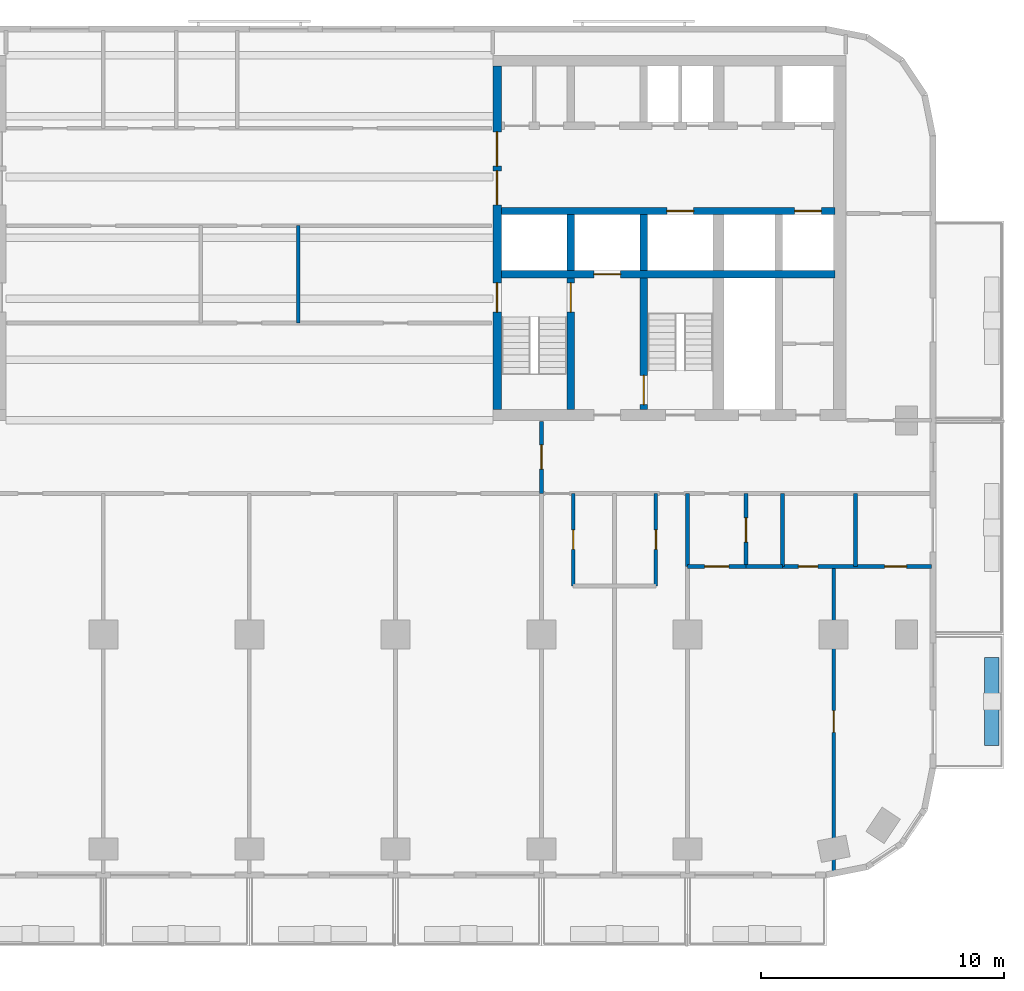
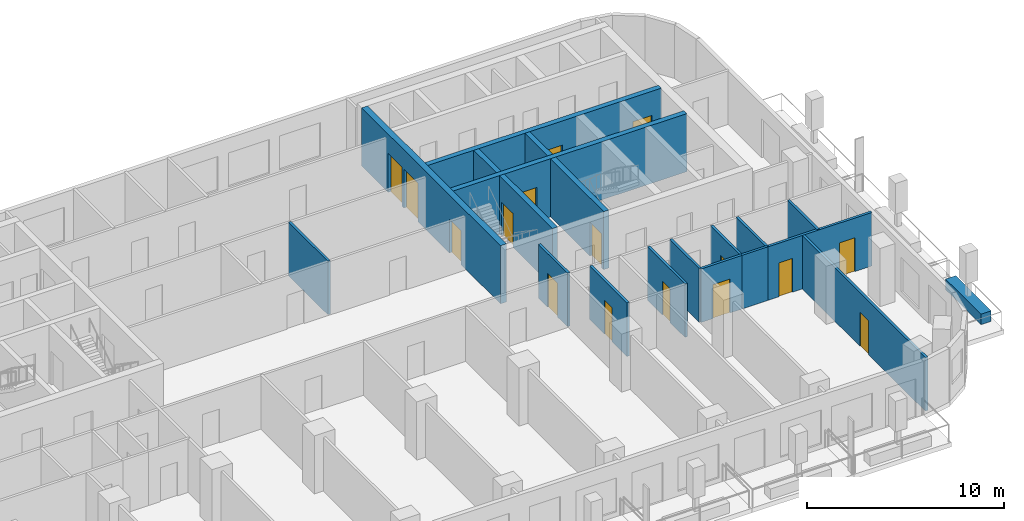
# One storey, part 5 of 12: 20 walls, 16 doors, 16 openings.
"""IFC4 building model written with IfcOpenShell, lengths in metres."""

from ifc_helpers import new_model, si_unit, direction, frame, frame_2d, origin, place, context, subcontext, project, spatial, rectangle, extrude, material, layer, layer_set, type_object, element, fill, save


model = new_model("IFC4")

# Units and contexts
model_context = context("Model", 3, precision=1e-05, world=origin(), true_north=direction((0.0, 1.0)))
body_context = subcontext(model_context, "Body", "Model", "MODEL_VIEW")
ifc_project = project(units=[si_unit("LENGTHUNIT", "METRE"), si_unit("AREAUNIT", "SQUARE_METRE"), si_unit("VOLUMEUNIT", "CUBIC_METRE"), si_unit("PLANEANGLEUNIT", "RADIAN"), si_unit("MASSUNIT", "GRAM", prefix="KILO")], contexts=[model_context])

# Site, building, storey
site_placement = place(None, origin())
site = spatial("IfcSite", under=ifc_project, at=site_placement, CompositionType="ELEMENT")
building_placement = place(site_placement, origin())
building = spatial("IfcBuilding", under=site, at=building_placement, Name="Torana Hotel and Residences", CompositionType="ELEMENT")
storey_placement = place(building_placement, frame((0.0, 0.0, 159.60009765625)))
storey = spatial("IfcBuildingStorey", under=building, at=storey_placement, Name="L41", CompositionType="ELEMENT", Elevation=159.60009765625)

# Wall, openings, doors
ifc_material_1 = material(Name="Concrete C70/85", Category="concrete")
ifc_layer_1 = layer(ifc_material_1, 0.300048828125)
ifc_layer_set_1 = layer_set([ifc_layer_1], Name="CORE WALL 300 C70/85")
wall_type_1 = type_object("IfcWallType", Name="CORE WALL 300 C70/85", PredefinedType="SHEAR", material=ifc_layer_set_1)
wall_1_placement = place(storey_placement, frame((10.35009765625, -6.39990234375, 0.0), z_axis=(0.0, 0.0, 1.0), x_axis=(1.0, 0.0, 0.0)))
wall_1 = element("IfcWall", 1, at=wall_1_placement, inside=storey, type_object=wall_type_1, Name="Core wall E row-S", PredefinedType="SHEAR", context=body_context, shape_type="SweptSolid", body=[
    extrude(rectangle(XDim=13.699951171875, YDim=0.300048828125, at=frame_2d((6.85009765625, 0.0))), origin(), (0.0, 0.0, 1.0), 3.599853515625),
])
opening_1_placement = place(wall_1_placement, frame((12.050048828125, 0.0, 0.0)))
opening_1 = element("IfcOpeningElement", 2, at=opening_1_placement, cuts=wall_1, Name="Opening LD", PredefinedType="OPENING", context=body_context, shape_type="SweptSolid", body=[
    extrude(rectangle(XDim=1.10009765625, YDim=2.10009765625, at=frame_2d((0.550048828125, 1.050048828125))), frame((0.0, 0.159912109375, 0.0), z_axis=(0.0, -1.0, 0.0), x_axis=(1.0, 0.0, 0.0)), (0.0, 0.0, 1.0), 0.320068359375),
])
opening_2_placement = place(wall_1_placement, frame((6.800048828125, 0.0, 0.0)))
opening_2 = element("IfcOpeningElement", 3, at=opening_2_placement, cuts=wall_1, Name="Opening LD", PredefinedType="OPENING", context=body_context, shape_type="SweptSolid", body=[
    extrude(rectangle(XDim=1.10009765625, YDim=2.10009765625, at=frame_2d((0.550048828125, 1.050048828125))), frame((0.0, 0.159912109375, 0.0), z_axis=(0.0, -1.0, 0.0), x_axis=(1.0, 0.0, 0.0)), (0.0, 0.0, 1.0), 0.320068359375),
])
ifc_material_2 = material(Name="Stainless steel 316", Category="steel")
door_type_1 = type_object("IfcDoorType", Name="LIFT LANDING DOOR LD 1100x2100", OperationType="DOUBLE_DOOR_SLIDING", PredefinedType="USERDEFINED", material=ifc_material_2)
door_1_placement = place(opening_1_placement, origin())
door_1 = element("IfcDoor", 4, at=door_1_placement, inside=storey, type_object=door_type_1, Name="Lift landing door M4 L41", ObjectType="LIFT LANDING DOOR", OperationType="DOUBLE_DOOR_SLIDING", OverallHeight=2.10009765625, OverallWidth=1.10009765625, PredefinedType="USERDEFINED", context=body_context, shape_type="SweptSolid", body=[
    extrude(rectangle(XDim=1.10009765625, YDim=2.10009765625, at=frame_2d((0.550048828125, 1.050048828125))), frame((0.0, 0.02490234375, 0.0), z_axis=(0.0, -1.0, 0.0), x_axis=(1.0, 0.0, 0.0)), (0.0, 0.0, 1.0), 0.050048828125),
])
fill(opening_1, door_1)
door_2_placement = place(opening_2_placement, origin())
door_2 = element("IfcDoor", 5, at=door_2_placement, inside=storey, type_object=door_type_1, Name="Lift landing door SV2 L41", ObjectType="LIFT LANDING DOOR", OperationType="DOUBLE_DOOR_SLIDING", OverallHeight=2.10009765625, OverallWidth=1.10009765625, PredefinedType="USERDEFINED", context=body_context, shape_type="SweptSolid", body=[
    extrude(rectangle(XDim=1.10009765625, YDim=2.10009765625, at=frame_2d((0.550048828125, 1.050048828125))), frame((0.0, 0.02490234375, 0.0), z_axis=(0.0, -1.0, 0.0), x_axis=(1.0, 0.0, 0.0)), (0.0, 0.0, 1.0), 0.050048828125),
])
fill(opening_2, door_2)

# Wall, opening, door
wall_2_placement = place(storey_placement, frame((10.35009765625, -9.0, 0.0), z_axis=(0.0, 0.0, 1.0), x_axis=(1.0, 0.0, 0.0)))
wall_2 = element("IfcWall", 6, at=wall_2_placement, inside=storey, type_object=wall_type_1, Name="Core wall E band", PredefinedType="SHEAR", context=body_context, shape_type="SweptSolid", body=[
    extrude(rectangle(XDim=13.699951171875, YDim=0.300048828125, at=frame_2d((6.85009765625, 0.0))), origin(), (0.0, 0.0, 1.0), 3.599853515625),
])
opening_3_placement = place(wall_2_placement, frame((3.800048828125, 0.0, 0.0)))
opening_3 = element("IfcOpeningElement", 7, at=opening_3_placement, cuts=wall_2, Name="Opening LD", PredefinedType="OPENING", context=body_context, shape_type="SweptSolid", body=[
    extrude(rectangle(XDim=1.10009765625, YDim=2.10009765625, at=frame_2d((0.550048828125, 1.050048828125))), frame((0.0, 0.159912109375, 0.0), z_axis=(0.0, -1.0, 0.0), x_axis=(1.0, 0.0, 0.0)), (0.0, 0.0, 1.0), 0.320068359375),
])
door_3_placement = place(opening_3_placement, origin())
door_3 = element("IfcDoor", 8, at=door_3_placement, inside=storey, type_object=door_type_1, Name="Lift landing door FF2 L41", ObjectType="LIFT LANDING DOOR", OperationType="DOUBLE_DOOR_SLIDING", OverallHeight=2.10009765625, OverallWidth=1.10009765625, PredefinedType="USERDEFINED", context=body_context, shape_type="SweptSolid", body=[
    extrude(rectangle(XDim=1.10009765625, YDim=2.10009765625, at=frame_2d((0.550048828125, 1.050048828125))), frame((0.0, 0.02490234375, 0.0), z_axis=(0.0, -1.0, 0.0), x_axis=(1.0, 0.0, 0.0)), (0.0, 0.0, 1.0), 0.050048828125),
])
fill(opening_3, door_3)

# Wall
wall_3_placement = place(storey_placement, frame((13.199951171875, -8.85009765625, 0.0), z_axis=(0.0, 0.0, 1.0), x_axis=(0.0, 1.0, 0.0)))
element("IfcWall", 9, at=wall_3_placement, inside=storey, type_object=wall_type_1, Name="Core wall E x3.05-S", PredefinedType="SHEAR", context=body_context, shape_type="SweptSolid", body=[
    extrude(rectangle(XDim=2.300048828125, YDim=0.300048828125, at=frame_2d((1.14990234375, 0.0))), origin(), (0.0, 0.0, 1.0), 3.599853515625),
])

# Wall, opening, door
wall_4_placement = place(storey_placement, frame((13.199951171875, -14.550048828125, 0.0), z_axis=(0.0, 0.0, 1.0), x_axis=(0.0, 1.0, 0.0)))
wall_4 = element("IfcWall", 10, at=wall_4_placement, inside=storey, type_object=wall_type_1, Name="Core wall E x3.05-band", PredefinedType="SHEAR", context=body_context, shape_type="SweptSolid", body=[
    extrude(rectangle(XDim=5.400146484375, YDim=0.300048828125, at=frame_2d((2.7001953125, 0.0))), origin(), (0.0, 0.0, 1.0), 3.599853515625),
])
opening_4_placement = place(wall_4_placement, frame((4.0, 0.0, 0.0)))
opening_4 = element("IfcOpeningElement", 11, at=opening_4_placement, cuts=wall_4, Name="Opening L41-29", PredefinedType="OPENING", context=body_context, shape_type="SweptSolid", body=[
    extrude(rectangle(XDim=1.199951171875, YDim=2.10009765625, at=frame_2d((0.60009765625, 1.050048828125))), frame((0.0, 0.159912109375, 0.0), z_axis=(0.0, -1.0, 0.0), x_axis=(1.0, 0.0, 0.0)), (0.0, 0.0, 1.0), 0.320068359375),
])
ifc_material_3 = material(Name="Steel S235", Category="steel")
door_type_2 = type_object("IfcDoorType", Name="STAIR FIRE DOOR D3 1200x2100", OperationType="SINGLE_SWING_LEFT", PredefinedType="DOOR", material=ifc_material_3)
door_4_placement = place(opening_4_placement, origin())
door_4 = element("IfcDoor", 12, at=door_4_placement, inside=storey, type_object=door_type_2, Name="Stair-A-lobby door L41", OperationType="SINGLE_SWING_LEFT", OverallHeight=2.10009765625, OverallWidth=1.199951171875, PredefinedType="DOOR", context=body_context, shape_type="SweptSolid", body=[
    extrude(rectangle(XDim=1.199951171875, YDim=2.10009765625, at=frame_2d((0.60009765625, 1.050048828125))), frame((0.0, 0.02490234375, 0.0), z_axis=(0.0, -1.0, 0.0), x_axis=(1.0, 0.0, 0.0)), (0.0, 0.0, 1.0), 0.050048828125),
])
fill(opening_4, door_4)

# Wall
wall_5_placement = place(storey_placement, frame((16.199951171875, -8.85009765625, 0.0), z_axis=(0.0, 0.0, 1.0), x_axis=(0.0, 1.0, 0.0)))
element("IfcWall", 13, at=wall_5_placement, inside=storey, type_object=wall_type_1, Name="Core wall E x6.05-S", PredefinedType="SHEAR", context=body_context, shape_type="SweptSolid", body=[
    extrude(rectangle(XDim=2.300048828125, YDim=0.300048828125, at=frame_2d((1.14990234375, 0.0))), origin(), (0.0, 0.0, 1.0), 3.599853515625),
])

# Wall, opening, door
wall_6_placement = place(storey_placement, frame((16.199951171875, -14.550048828125, 0.0), z_axis=(0.0, 0.0, 1.0), x_axis=(0.0, 1.0, 0.0)))
wall_6 = element("IfcWall", 14, at=wall_6_placement, inside=storey, type_object=wall_type_1, Name="Core wall E x6.05-band", PredefinedType="SHEAR", context=body_context, shape_type="SweptSolid", body=[
    extrude(rectangle(XDim=5.400146484375, YDim=0.300048828125, at=frame_2d((2.7001953125, 0.0))), origin(), (0.0, 0.0, 1.0), 3.599853515625),
])
opening_5_placement = place(wall_6_placement, frame((0.199951171875, 0.0, 0.0)))
opening_5 = element("IfcOpeningElement", 15, at=opening_5_placement, cuts=wall_6, Name="Opening L41-30", PredefinedType="OPENING", context=body_context, shape_type="SweptSolid", body=[
    extrude(rectangle(XDim=1.199951171875, YDim=2.10009765625, at=frame_2d((0.60009765625, 1.050048828125))), frame((0.0, 0.159912109375, 0.0), z_axis=(0.0, -1.0, 0.0), x_axis=(1.0, 0.0, 0.0)), (0.0, 0.0, 1.0), 0.320068359375),
])
door_5_placement = place(opening_5_placement, frame((0.60009765625, 0.0, 0.0), z_axis=(0.0, 0.0, 1.0), x_axis=(-1.0, 0.0, 0.0)))
door_5 = element("IfcDoor", 16, at=door_5_placement, inside=storey, type_object=door_type_2, Name="Stair-B-lobby door L41", OperationType="SINGLE_SWING_LEFT", OverallHeight=2.10009765625, OverallWidth=1.199951171875, PredefinedType="DOOR", context=body_context, shape_type="SweptSolid", body=[
    extrude(rectangle(XDim=1.199951171875, YDim=2.10009765625, at=frame_2d((0.0, 1.050048828125))), frame((0.0, -0.02490234375, 0.0), z_axis=(0.0, 1.0, 0.0), x_axis=(-1.0, 0.0, 0.0)), (0.0, 0.0, 1.0), 0.050048828125),
])
fill(opening_5, door_5)

# Wall, openings, doors
ifc_material_4 = material(Name="Concrete C70/85", Category="concrete")
ifc_layer_2 = layer(ifc_material_4, 0.35009765625)
ifc_layer_set_2 = layer_set([ifc_layer_2], Name="CORE WALL 350 C70/85")
wall_type_2 = type_object("IfcWallType", Name="CORE WALL 350 C70/85", PredefinedType="SHEAR", material=ifc_layer_set_2)
wall_7_placement = place(storey_placement, frame((10.175048828125, -14.550048828125, 0.0), z_axis=(0.0, 0.0, 1.0), x_axis=(0.0, 1.0, 0.0)))
wall_7 = element("IfcWall", 17, at=wall_7_placement, inside=storey, type_object=wall_type_2, Name="Core wall E arch", PredefinedType="SHEAR", context=body_context, shape_type="SweptSolid", body=[
    extrude(rectangle(XDim=14.10009765625, YDim=0.35009765625, at=frame_2d((7.050048828125, 0.0))), origin(), (0.0, 0.0, 1.0), 3.599853515625),
])
opening_6_placement = place(wall_7_placement, frame((8.39990234375, 0.0, 0.0)))
opening_6 = element("IfcOpeningElement", 18, at=opening_6_placement, cuts=wall_7, Name="Opening L41-16", PredefinedType="OPENING", context=body_context, shape_type="SweptSolid", body=[
    extrude(rectangle(XDim=1.39990234375, YDim=2.39990234375, at=frame_2d((0.699951171875, 1.199951171875))), frame((0.0, 0.18505859375, 0.0), z_axis=(0.0, -1.0, 0.0), x_axis=(1.0, 0.0, 0.0)), (0.0, 0.0, 1.0), 0.3701171875),
])
opening_7_placement = place(wall_7_placement, frame((10.0, 0.0, 0.0)))
opening_7 = element("IfcOpeningElement", 19, at=opening_7_placement, cuts=wall_7, Name="Opening L41-17", PredefinedType="OPENING", context=body_context, shape_type="SweptSolid", body=[
    extrude(rectangle(XDim=1.39990234375, YDim=2.39990234375, at=frame_2d((0.699951171875, 1.199951171875))), frame((0.0, 0.18505859375, 0.0), z_axis=(0.0, -1.0, 0.0), x_axis=(1.0, 0.0, 0.0)), (0.0, 0.0, 1.0), 0.3701171875),
])
opening_8_placement = place(wall_7_placement, frame((4.0, 0.0, 0.0)))
opening_8 = element("IfcOpeningElement", 20, at=opening_8_placement, cuts=wall_7, Name="Opening L41-18", PredefinedType="OPENING", context=body_context, shape_type="SweptSolid", body=[
    extrude(rectangle(XDim=1.199951171875, YDim=2.10009765625, at=frame_2d((0.60009765625, 1.050048828125))), frame((0.0, 0.18505859375, 0.0), z_axis=(0.0, -1.0, 0.0), x_axis=(1.0, 0.0, 0.0)), (0.0, 0.0, 1.0), 0.3701171875),
])
ifc_material_5 = material(Name="Steel S235", Category="steel")
door_type_3 = type_object("IfcDoorType", Name="LOBBY FIRE DOOR D4 1400x2400", OperationType="DOUBLE_DOOR_SINGLE_SWING", PredefinedType="DOOR", material=ifc_material_5)
door_6_placement = place(opening_6_placement, origin())
door_6 = element("IfcDoor", 21, at=door_6_placement, inside=storey, type_object=door_type_3, Name="Lobby-1 door L41", OperationType="DOUBLE_DOOR_SINGLE_SWING", OverallHeight=2.39990234375, OverallWidth=1.39990234375, PredefinedType="DOOR", context=body_context, shape_type="SweptSolid", body=[
    extrude(rectangle(XDim=1.39990234375, YDim=2.39990234375, at=frame_2d((0.699951171875, 1.199951171875))), frame((0.0, 0.02490234375, 0.0), z_axis=(0.0, -1.0, 0.0), x_axis=(1.0, 0.0, 0.0)), (0.0, 0.0, 1.0), 0.050048828125),
])
fill(opening_6, door_6)
door_7_placement = place(opening_7_placement, origin())
door_7 = element("IfcDoor", 22, at=door_7_placement, inside=storey, type_object=door_type_3, Name="Lobby-2 door L41", OperationType="DOUBLE_DOOR_SINGLE_SWING", OverallHeight=2.39990234375, OverallWidth=1.39990234375, PredefinedType="DOOR", context=body_context, shape_type="SweptSolid", body=[
    extrude(rectangle(XDim=1.39990234375, YDim=2.39990234375, at=frame_2d((0.699951171875, 1.199951171875))), frame((0.0, 0.02490234375, 0.0), z_axis=(0.0, -1.0, 0.0), x_axis=(1.0, 0.0, 0.0)), (0.0, 0.0, 1.0), 0.050048828125),
])
fill(opening_7, door_7)
door_8_placement = place(opening_8_placement, frame((0.60009765625, 0.0, 0.0), z_axis=(0.0, 0.0, 1.0), x_axis=(-1.0, 0.0, 0.0)))
door_8 = element("IfcDoor", 23, at=door_8_placement, inside=storey, type_object=door_type_2, Name="Stair-A door L41", OperationType="SINGLE_SWING_RIGHT", OverallHeight=2.10009765625, OverallWidth=1.199951171875, PredefinedType="DOOR", context=body_context, shape_type="SweptSolid", body=[
    extrude(rectangle(XDim=1.199951171875, YDim=2.10009765625, at=frame_2d((0.0, 1.050048828125))), frame((0.0, -0.02490234375, 0.0), z_axis=(0.0, 1.0, 0.0), x_axis=(-1.0, 0.0, 0.0)), (0.0, 0.0, 1.0), 0.050048828125),
])
fill(opening_8, door_8)

# Wall, opening, door
ifc_material_6 = material(Name="Gypsum plaster")
ifc_layer_3 = layer(ifc_material_6, 0.014892578125, Name="Plaster", Category="finish")
ifc_material_7 = material(Name="Concrete blockwork", Category="masonry")
ifc_layer_4 = layer(ifc_material_7, 0.1201171875, Name="Blockwork", Category="structure")
ifc_layer_5 = layer(ifc_material_6, 0.014892578125, Name="Plaster", Category="finish")
ifc_layer_set_3 = layer_set([ifc_layer_3, ifc_layer_4, ifc_layer_5], Name="FIRE PARTITION 150 BLOCKWORK")
wall_type_3 = type_object("IfcWallType", Name="FIRE PARTITION 150 BLOCKWORK", PredefinedType="PARTITIONING", material=ifc_layer_set_3)
wall_8_placement = place(storey_placement, frame((20.39990234375, -21.0, 0.0), z_axis=(0.0, 0.0, 1.0), x_axis=(0.0, 1.0, 0.0)))
wall_8 = element("IfcWall", 24, at=wall_8_placement, inside=storey, type_object=wall_type_3, Name="Partition L41", PredefinedType="PARTITIONING", context=body_context, shape_type="SweptSolid", body=[
    extrude(rectangle(XDim=3.0, YDim=0.14990234375, at=frame_2d((1.5, 0.0))), origin(), (0.0, 0.0, 1.0), 3.31982421875),
])
opening_9_placement = place(wall_8_placement, frame((1.0, 0.0, 0.0)))
opening_9 = element("IfcOpeningElement", 25, at=opening_9_placement, cuts=wall_8, Name="Opening L41-60", PredefinedType="OPENING", context=body_context, shape_type="SweptSolid", body=[
    extrude(rectangle(XDim=1.0, YDim=2.10009765625, at=frame_2d((0.5, 1.050048828125))), frame((0.0, 0.0849609375, 0.0), z_axis=(0.0, -1.0, 0.0), x_axis=(1.0, 0.0, 0.0)), (0.0, 0.0, 1.0), 0.169921875),
])
ifc_material_8 = material(Name="Steel S235", Category="steel")
door_type_4 = type_object("IfcDoorType", Name="ENTRY FIRE DOOR D6 1000x2100", OperationType="SINGLE_SWING_LEFT", PredefinedType="DOOR", material=ifc_material_8)
door_9_placement = place(opening_9_placement, frame((0.5, 0.0, 0.0), z_axis=(0.0, 0.0, 1.0), x_axis=(-1.0, 0.0, 0.0)))
door_9 = element("IfcDoor", 26, at=door_9_placement, inside=storey, type_object=door_type_4, Name="Door L41", OperationType="SINGLE_SWING_LEFT", OverallHeight=2.10009765625, OverallWidth=1.0, PredefinedType="DOOR", context=body_context, shape_type="SweptSolid", body=[
    extrude(rectangle(XDim=1.0, YDim=2.10009765625, at=frame_2d((0.0, 1.050048828125))), frame((0.0, -0.02490234375, 0.0), z_axis=(0.0, 1.0, 0.0), x_axis=(-1.0, 0.0, 0.0)), (0.0, 0.0, 1.0), 0.050048828125),
])
fill(opening_9, door_9)

# Wall
wall_9_placement = place(storey_placement, frame((18.0, -21.0, 0.0), z_axis=(0.0, 0.0, 1.0), x_axis=(0.0, 1.0, 0.0)))
element("IfcWall", 27, at=wall_9_placement, inside=storey, type_object=wall_type_3, Name="Partition L41", PredefinedType="PARTITIONING", context=body_context, shape_type="SweptSolid", body=[
    extrude(rectangle(XDim=3.0, YDim=0.14990234375, at=frame_2d((1.5, 0.0))), origin(), (0.0, 0.0, 1.0), 3.31982421875),
])

# Wall, opening, door
wall_10_placement = place(storey_placement, frame((12.0, -18.0, 0.0), z_axis=(0.0, 0.0, 1.0), x_axis=(0.0, 1.0, 0.0)))
wall_10 = element("IfcWall", 28, at=wall_10_placement, inside=storey, type_object=wall_type_3, Name="Partition L41", PredefinedType="PARTITIONING", context=body_context, shape_type="SweptSolid", body=[
    extrude(rectangle(XDim=2.949951171875, YDim=0.14990234375, at=frame_2d((1.47509765625, 0.0))), origin(), (0.0, 0.0, 1.0), 3.31982421875),
])
opening_10_placement = place(wall_10_placement, frame((1.0, 0.0, 0.0)))
opening_10 = element("IfcOpeningElement", 29, at=opening_10_placement, cuts=wall_10, Name="Opening L41-36", PredefinedType="OPENING", context=body_context, shape_type="SweptSolid", body=[
    extrude(rectangle(XDim=1.0, YDim=2.10009765625, at=frame_2d((0.5, 1.050048828125))), frame((0.0, 0.0849609375, 0.0), z_axis=(0.0, -1.0, 0.0), x_axis=(1.0, 0.0, 0.0)), (0.0, 0.0, 1.0), 0.169921875),
])
door_10_placement = place(opening_10_placement, origin())
door_10 = element("IfcDoor", 30, at=door_10_placement, inside=storey, type_object=door_type_4, Name="Door L41", OperationType="SINGLE_SWING_RIGHT", OverallHeight=2.10009765625, OverallWidth=1.0, PredefinedType="DOOR", context=body_context, shape_type="SweptSolid", body=[
    extrude(rectangle(XDim=1.0, YDim=2.10009765625, at=frame_2d((0.5, 1.050048828125))), frame((0.0, 0.02490234375, 0.0), z_axis=(0.0, -1.0, 0.0), x_axis=(1.0, 0.0, 0.0)), (0.0, 0.0, 1.0), 0.050048828125),
])
fill(opening_10, door_10)

# Wall
wall_11_placement = place(storey_placement, frame((2.0, -11.0, 0.0), z_axis=(0.0, 0.0, 1.0), x_axis=(0.0, 1.0, 0.0)))
element("IfcWall", 31, at=wall_11_placement, inside=storey, type_object=wall_type_3, Name="Partition L41", PredefinedType="PARTITIONING", context=body_context, shape_type="SweptSolid", body=[
    extrude(rectangle(XDim=4.0, YDim=0.14990234375, at=frame_2d((2.0, 0.0))), origin(), (0.0, 0.0, 1.0), 3.31982421875),
])

# Wall, opening, door
wall_12_placement = place(storey_placement, frame((18.0, -21.0, 0.0), z_axis=(0.0, 0.0, 1.0), x_axis=(1.0, 0.0, 0.0)))
wall_12 = element("IfcWall", 32, at=wall_12_placement, inside=storey, type_object=wall_type_3, Name="Partition L41", PredefinedType="PARTITIONING", context=body_context, shape_type="SweptSolid", body=[
    extrude(rectangle(XDim=2.39990234375, YDim=0.14990234375, at=frame_2d((1.199951171875, 0.0))), origin(), (0.0, 0.0, 1.0), 3.31982421875),
])
opening_11_placement = place(wall_12_placement, frame((0.699951171875, 0.0, 0.0)))
opening_11 = element("IfcOpeningElement", 33, at=opening_11_placement, cuts=wall_12, Name="Opening L41-61", PredefinedType="OPENING", context=body_context, shape_type="SweptSolid", body=[
    extrude(rectangle(XDim=1.0, YDim=2.10009765625, at=frame_2d((0.5, 1.050048828125))), frame((0.0, 0.0849609375, 0.0), z_axis=(0.0, -1.0, 0.0), x_axis=(1.0, 0.0, 0.0)), (0.0, 0.0, 1.0), 0.169921875),
])
door_11_placement = place(opening_11_placement, frame((0.5, 0.0, 0.0), z_axis=(0.0, 0.0, 1.0), x_axis=(-1.0, 0.0, 0.0)))
door_11 = element("IfcDoor", 34, at=door_11_placement, inside=storey, type_object=door_type_4, Name="Door L41", OperationType="SINGLE_SWING_LEFT", OverallHeight=2.10009765625, OverallWidth=1.0, PredefinedType="DOOR", context=body_context, shape_type="SweptSolid", body=[
    extrude(rectangle(XDim=1.0, YDim=2.10009765625, at=frame_2d((0.0, 1.050048828125))), frame((0.0, -0.02490234375, 0.0), z_axis=(0.0, 1.0, 0.0), x_axis=(-1.0, 0.0, 0.0)), (0.0, 0.0, 1.0), 0.050048828125),
])
fill(opening_11, door_11)

# Wall
ifc_material_9 = material(Name="Gypsum plasterboard")
ifc_layer_6 = layer(ifc_material_9, 0.012451171875, Name="Plasterboard", Category="finish")
ifc_layer_7 = layer(ifc_material_9, 0.012451171875, Name="Plasterboard", Category="finish")
ifc_material_10 = material(Name="Steel S280GD", Category="steel")
ifc_layer_8 = layer(ifc_material_10, 0.10009765625, Name="Steel studs with mineral wool", Category="insulation")
ifc_layer_9 = layer(ifc_material_9, 0.012451171875, Name="Plasterboard", Category="finish")
ifc_layer_10 = layer(ifc_material_9, 0.012451171875, Name="Plasterboard", Category="finish")
ifc_layer_set_4 = layer_set([ifc_layer_6, ifc_layer_7, ifc_layer_8, ifc_layer_9, ifc_layer_10], Name="PARTITION 150 PLASTERBOARD")
wall_type_4 = type_object("IfcWallType", Name="PARTITION 150 PLASTERBOARD", PredefinedType="PARTITIONING", material=ifc_layer_set_4)
wall_13_placement = place(storey_placement, frame((24.89990234375, -21.0, 0.0), z_axis=(0.0, 0.0, 1.0), x_axis=(0.0, 1.0, 0.0)))
element("IfcWall", 35, at=wall_13_placement, inside=storey, type_object=wall_type_4, Name="Partition L41", PredefinedType="PARTITIONING", context=body_context, shape_type="SweptSolid", body=[
    extrude(rectangle(XDim=3.0, YDim=0.14990234375, at=frame_2d((1.5, 0.0))), origin(), (0.0, 0.0, 1.0), 3.31982421875),
])

# Wall, opening, door
wall_14_placement = place(storey_placement, frame((24.0, -33.556884765625, 0.0), z_axis=(0.0, 0.0, 1.0), x_axis=(0.0, 1.0, 0.0)))
wall_14 = element("IfcWall", 36, at=wall_14_placement, inside=storey, type_object=wall_type_4, Name="Partition L41", PredefinedType="PARTITIONING", context=body_context, shape_type="SweptSolid", body=[
    extrude(rectangle(XDim=12.556884765625, YDim=0.14990234375, at=frame_2d((6.2783203125, 0.0))), origin(), (0.0, 0.0, 1.0), 3.31982421875),
])
opening_12_placement = place(wall_14_placement, frame((5.73681640625, 0.0, 0.0)))
opening_12 = element("IfcOpeningElement", 37, at=opening_12_placement, cuts=wall_14, Name="Opening L41-64", PredefinedType="OPENING", context=body_context, shape_type="SweptSolid", body=[
    extrude(rectangle(XDim=0.89990234375, YDim=2.10009765625, at=frame_2d((0.449951171875, 1.050048828125))), frame((0.0, 0.0849609375, 0.0), z_axis=(0.0, -1.0, 0.0), x_axis=(1.0, 0.0, 0.0)), (0.0, 0.0, 1.0), 0.169921875),
])
ifc_material_11 = material(Name="Timber door, oiled ash", Category="wood")
door_type_5 = type_object("IfcDoorType", Name="ROOM DOOR D7 900x2100", OperationType="SINGLE_SWING_LEFT", PredefinedType="DOOR", material=ifc_material_11)
door_12_placement = place(opening_12_placement, origin())
door_12 = element("IfcDoor", 38, at=door_12_placement, inside=storey, type_object=door_type_5, Name="Door L41", OperationType="SINGLE_SWING_RIGHT", OverallHeight=2.10009765625, OverallWidth=0.89990234375, PredefinedType="DOOR", context=body_context, shape_type="SweptSolid", body=[
    extrude(rectangle(XDim=0.89990234375, YDim=2.10009765625, at=frame_2d((0.449951171875, 1.050048828125))), frame((0.0, 0.02490234375, 0.0), z_axis=(0.0, -1.0, 0.0), x_axis=(1.0, 0.0, 0.0)), (0.0, 0.0, 1.0), 0.050048828125),
])
fill(opening_12, door_12)

wall_15_placement = place(storey_placement, frame((16.699951171875, -21.800048828125, 0.0), z_axis=(0.0, 0.0, 1.0), x_axis=(0.0, 1.0, 0.0)))
wall_15 = element("IfcWall", 39, at=wall_15_placement, inside=storey, type_object=wall_type_4, Name="Partition L41", PredefinedType="PARTITIONING", context=body_context, shape_type="SweptSolid", body=[
    extrude(rectangle(XDim=3.800048828125, YDim=0.14990234375, at=frame_2d((1.89990234375, 0.0))), origin(), (0.0, 0.0, 1.0), 3.31982421875),
])
opening_13_placement = place(wall_15_placement, frame((1.5, 0.0, 0.0)))
opening_13 = element("IfcOpeningElement", 40, at=opening_13_placement, cuts=wall_15, Name="Opening L41-54", PredefinedType="OPENING", context=body_context, shape_type="SweptSolid", body=[
    extrude(rectangle(XDim=0.800048828125, YDim=2.10009765625, at=frame_2d((0.39990234375, 1.050048828125))), frame((0.0, 0.0849609375, 0.0), z_axis=(0.0, -1.0, 0.0), x_axis=(1.0, 0.0, 0.0)), (0.0, 0.0, 1.0), 0.169921875),
])
ifc_material_12 = material(Name="Timber door, painted", Category="wood")
door_type_6 = type_object("IfcDoorType", Name="BATH DOOR D13 800x2100", OperationType="SINGLE_SWING_LEFT", PredefinedType="DOOR", material=ifc_material_12)
door_13_placement = place(opening_13_placement, origin())
door_13 = element("IfcDoor", 41, at=door_13_placement, inside=storey, type_object=door_type_6, Name="Door L41", OperationType="SINGLE_SWING_RIGHT", OverallHeight=2.10009765625, OverallWidth=0.800048828125, PredefinedType="DOOR", context=body_context, shape_type="SweptSolid", body=[
    extrude(rectangle(XDim=0.800048828125, YDim=2.10009765625, at=frame_2d((0.39990234375, 1.050048828125))), frame((0.0, 0.02490234375, 0.0), z_axis=(0.0, -1.0, 0.0), x_axis=(1.0, 0.0, 0.0)), (0.0, 0.0, 1.0), 0.050048828125),
])
fill(opening_13, door_13)

wall_16_placement = place(storey_placement, frame((13.300048828125, -21.800048828125, 0.0), z_axis=(0.0, 0.0, 1.0), x_axis=(0.0, 1.0, 0.0)))
wall_16 = element("IfcWall", 42, at=wall_16_placement, inside=storey, type_object=wall_type_4, Name="Partition L41", PredefinedType="PARTITIONING", context=body_context, shape_type="SweptSolid", body=[
    extrude(rectangle(XDim=3.800048828125, YDim=0.14990234375, at=frame_2d((1.89990234375, 0.0))), origin(), (0.0, 0.0, 1.0), 3.31982421875),
])
opening_14_placement = place(wall_16_placement, frame((1.5, 0.0, 0.0)))
opening_14 = element("IfcOpeningElement", 43, at=opening_14_placement, cuts=wall_16, Name="Opening L41-53", PredefinedType="OPENING", context=body_context, shape_type="SweptSolid", body=[
    extrude(rectangle(XDim=0.800048828125, YDim=2.10009765625, at=frame_2d((0.39990234375, 1.050048828125))), frame((0.0, 0.0849609375, 0.0), z_axis=(0.0, -1.0, 0.0), x_axis=(1.0, 0.0, 0.0)), (0.0, 0.0, 1.0), 0.169921875),
])
door_14_placement = place(opening_14_placement, origin())
door_14 = element("IfcDoor", 44, at=door_14_placement, inside=storey, type_object=door_type_6, Name="Door L41", OperationType="SINGLE_SWING_RIGHT", OverallHeight=2.10009765625, OverallWidth=0.800048828125, PredefinedType="DOOR", context=body_context, shape_type="SweptSolid", body=[
    extrude(rectangle(XDim=0.800048828125, YDim=2.10009765625, at=frame_2d((0.39990234375, 1.050048828125))), frame((0.0, 0.02490234375, 0.0), z_axis=(0.0, -1.0, 0.0), x_axis=(1.0, 0.0, 0.0)), (0.0, 0.0, 1.0), 0.050048828125),
])
fill(opening_14, door_14)

# Wall, openings, doors
wall_17_placement = place(storey_placement, frame((21.89990234375, -21.0, 0.0), z_axis=(0.0, 0.0, 1.0), x_axis=(1.0, 0.0, 0.0)))
wall_17 = element("IfcWall", 45, at=wall_17_placement, inside=storey, type_object=wall_type_4, Name="Partition L41", PredefinedType="PARTITIONING", context=body_context, shape_type="SweptSolid", body=[
    extrude(rectangle(XDim=6.1201171875, YDim=0.14990234375, at=frame_2d((3.06005859375, 0.0))), origin(), (0.0, 0.0, 1.0), 3.31982421875),
])
opening_15_placement = place(wall_17_placement, frame((0.64990234375, 0.0, 0.0)))
opening_15 = element("IfcOpeningElement", 46, at=opening_15_placement, cuts=wall_17, Name="Opening L41-62", PredefinedType="OPENING", context=body_context, shape_type="SweptSolid", body=[
    extrude(rectangle(XDim=0.800048828125, YDim=2.10009765625, at=frame_2d((0.39990234375, 1.050048828125))), frame((0.0, 0.0849609375, 0.0), z_axis=(0.0, -1.0, 0.0), x_axis=(1.0, 0.0, 0.0)), (0.0, 0.0, 1.0), 0.169921875),
])
opening_16_placement = place(wall_17_placement, frame((4.199951171875, 0.0, 0.0)))
opening_16 = element("IfcOpeningElement", 47, at=opening_16_placement, cuts=wall_17, Name="Opening L41-63", PredefinedType="OPENING", context=body_context, shape_type="SweptSolid", body=[
    extrude(rectangle(XDim=0.89990234375, YDim=2.10009765625, at=frame_2d((0.449951171875, 1.050048828125))), frame((0.0, 0.0849609375, 0.0), z_axis=(0.0, -1.0, 0.0), x_axis=(1.0, 0.0, 0.0)), (0.0, 0.0, 1.0), 0.169921875),
])
door_15_placement = place(opening_15_placement, origin())
door_15 = element("IfcDoor", 48, at=door_15_placement, inside=storey, type_object=door_type_6, Name="Door L41", OperationType="SINGLE_SWING_RIGHT", OverallHeight=2.10009765625, OverallWidth=0.800048828125, PredefinedType="DOOR", context=body_context, shape_type="SweptSolid", body=[
    extrude(rectangle(XDim=0.800048828125, YDim=2.10009765625, at=frame_2d((0.39990234375, 1.050048828125))), frame((0.0, 0.02490234375, 0.0), z_axis=(0.0, -1.0, 0.0), x_axis=(1.0, 0.0, 0.0)), (0.0, 0.0, 1.0), 0.050048828125),
])
fill(opening_15, door_15)
door_16_placement = place(opening_16_placement, origin())
door_16 = element("IfcDoor", 49, at=door_16_placement, inside=storey, type_object=door_type_5, Name="Door L41", OperationType="SINGLE_SWING_LEFT", OverallHeight=2.10009765625, OverallWidth=0.89990234375, PredefinedType="DOOR", context=body_context, shape_type="SweptSolid", body=[
    extrude(rectangle(XDim=0.89990234375, YDim=2.10009765625, at=frame_2d((0.449951171875, 1.050048828125))), frame((0.0, 0.02490234375, 0.0), z_axis=(0.0, -1.0, 0.0), x_axis=(1.0, 0.0, 0.0)), (0.0, 0.0, 1.0), 0.050048828125),
])
fill(opening_16, door_16)

# Walls
ifc_material_13 = material(Name="Concrete C40/50 precast", Category="concrete")
ifc_layer_11 = layer(ifc_material_13, 0.10009765625, Name="Planter shell", Category="structure")
ifc_material_14 = material(Name="Root resistant membrane")
ifc_layer_12 = layer(ifc_material_14, 0.00390625, Name="Waterproofing membrane", Category="membrane")
ifc_material_15 = material(Name="Drainage board with filter fleece")
ifc_layer_13 = layer(ifc_material_15, 0.02001953125, Name="Drainage board", Category="drainage")
ifc_material_16 = material(Name="Growing medium")
ifc_layer_14 = layer(ifc_material_16, 0.47607421875, Name="Planting substrate", Category="soil")
ifc_layer_set_5 = layer_set([ifc_layer_11, ifc_layer_12, ifc_layer_13, ifc_layer_14], Name="PL1 BALCONY PLANTER 600")
wall_type_5 = type_object("IfcWallType", Name="PL1 BALCONY PLANTER 600", PredefinedType="USERDEFINED", material=ifc_layer_set_5)
wall_18_placement = place(storey_placement, frame((30.5, -24.75, 0.0), z_axis=(0.0, 0.0, 1.0), x_axis=(0.0, -1.0, 0.0)))
element("IfcWall", 50, at=wall_18_placement, inside=storey, type_object=wall_type_5, Name="Planter 12", ObjectType="PLANTER", PredefinedType="USERDEFINED", context=body_context, shape_type="SweptSolid", body=[
    extrude(rectangle(XDim=3.60009765625, YDim=0.60009765625, at=frame_2d((1.800048828125, 0.0))), origin(), (0.0, 0.0, 1.0), 0.64990234375),
])
ifc_material_17 = material(Name="Ceramic tile on adhesive")
ifc_layer_15 = layer(ifc_material_17, 0.010009765625, Name="Wall tile", Category="finish")
ifc_material_18 = material(Name="Cement render")
ifc_layer_16 = layer(ifc_material_18, 0.010009765625, Name="Render", Category="finish")
ifc_layer_17 = layer(ifc_material_7, 0.110107421875, Name="Blockwork", Category="structure")
ifc_layer_18 = layer(ifc_material_18, 0.010009765625, Name="Render", Category="finish")
ifc_layer_19 = layer(ifc_material_17, 0.010009765625, Name="Wall tile", Category="finish")
ifc_layer_set_6 = layer_set([ifc_layer_15, ifc_layer_16, ifc_layer_17, ifc_layer_18, ifc_layer_19], Name="WC PARTITION 150")
wall_type_6 = type_object("IfcWallType", Name="WC PARTITION 150", PredefinedType="PLUMBINGWALL", material=ifc_layer_set_6)
wall_19_placement = place(storey_placement, frame((21.89990234375, -21.0, 0.0), z_axis=(0.0, 0.0, 1.0), x_axis=(0.0, 1.0, 0.0)))
element("IfcWall", 51, at=wall_19_placement, inside=storey, type_object=wall_type_6, Name="Partition L41", PredefinedType="PLUMBINGWALL", context=body_context, shape_type="SweptSolid", body=[
    extrude(rectangle(XDim=3.0, YDim=0.14990234375, at=frame_2d((1.5, 0.0))), origin(), (0.0, 0.0, 1.0), 3.31982421875),
])
wall_20_placement = place(storey_placement, frame((20.39990234375, -21.0, 0.0), z_axis=(0.0, 0.0, 1.0), x_axis=(1.0, 0.0, 0.0)))
element("IfcWall", 52, at=wall_20_placement, inside=storey, type_object=wall_type_6, Name="Partition L41", PredefinedType="PLUMBINGWALL", context=body_context, shape_type="SweptSolid", body=[
    extrude(rectangle(XDim=1.5, YDim=0.14990234375, at=frame_2d((0.75, 0.0))), origin(), (0.0, 0.0, 1.0), 3.31982421875),
])

save(model, "model.ifc")
